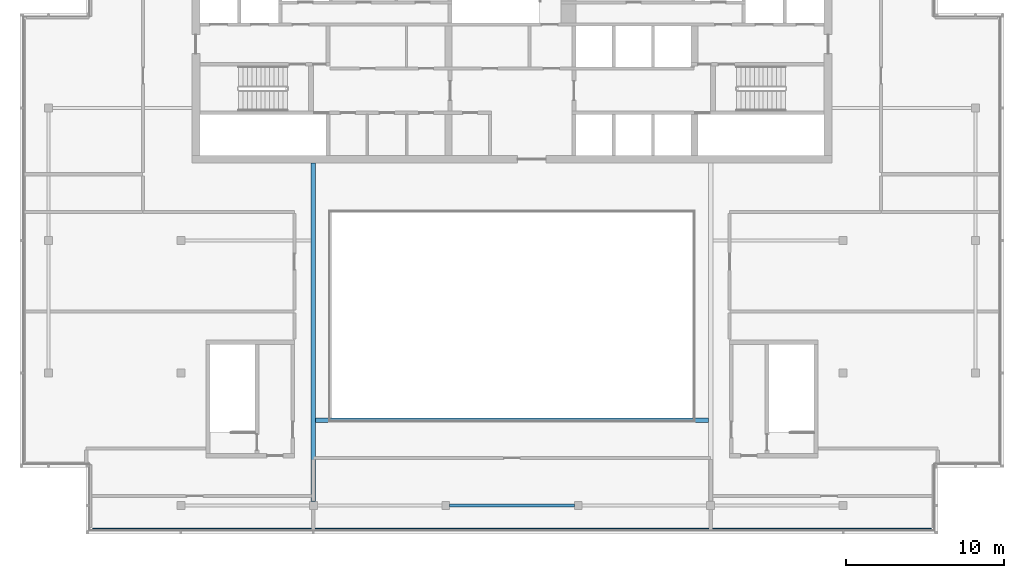
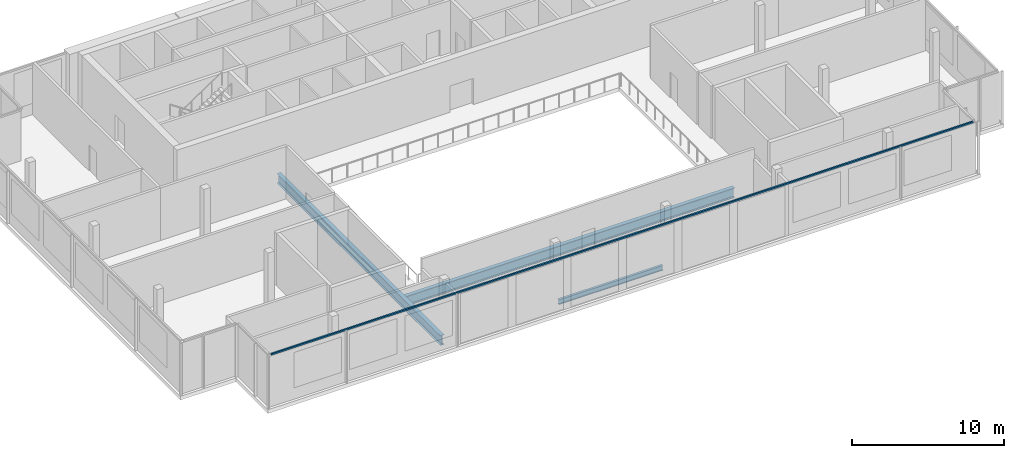
# One storey, part 3 of 14: 3 beams, 1 member, 1 element without a shape of its own.
"""IFC4 building model written with IfcOpenShell, lengths in metres."""

from ifc_helpers import new_model, si_unit, direction, frame, origin, origin_2d, place, context, subcontext, project, spatial, rectangle, i_section, extrude, material, material_profile, profile_set, type_object, element, aggregate, save


model = new_model("IFC4")

# Units and contexts
model_context = context("Model", 3, precision=1e-05, world=origin(), true_north=direction((0.0, 1.0)))
body_context = subcontext(model_context, "Body", "Model", "MODEL_VIEW")
ifc_project = project(units=[si_unit("LENGTHUNIT", "METRE"), si_unit("AREAUNIT", "SQUARE_METRE"), si_unit("VOLUMEUNIT", "CUBIC_METRE"), si_unit("PLANEANGLEUNIT", "RADIAN"), si_unit("MASSUNIT", "GRAM", prefix="KILO")], contexts=[model_context])

# Site, building, storey
site_placement = place(None, origin())
site = spatial("IfcSite", under=ifc_project, at=site_placement, CompositionType="ELEMENT")
building_placement = place(site_placement, origin())
building = spatial("IfcBuilding", under=site, at=building_placement, Name="Saffron Gate Tower", CompositionType="ELEMENT")
storey_placement = place(building_placement, frame((0.0, 0.0, 310.35009765625)))
storey = spatial("IfcBuildingStorey", under=building, at=storey_placement, Name="L76", CompositionType="ELEMENT", Elevation=310.35009765625)

# Beams
ifc_material_1 = material(Name="Structural steel S355", Category="steel")
ifc_material_profile_1 = material_profile(ifc_material_1, i_section(OverallWidth=0.300048828125, OverallDepth=0.7900390625, WebThickness=0.014892578125, FlangeThickness=0.028076171875, FilletRadius=0.030029296875, at=origin_2d()))
ifc_profile_set_1 = profile_set([ifc_material_profile_1], Name="Structural steel S355")
beam_type_1 = type_object("IfcBeamType", Name="B18 HEA 800", PredefinedType="BEAM", material=ifc_profile_set_1)
beam_1_placement = place(storey_placement, frame((75.0, 40.449951171875, -0.695068359375), z_axis=(0.0, 1.0, 0.0), x_axis=(-1.0, 0.0, 0.0)))
element("IfcBeam", 1, at=beam_1_placement, inside=storey, type_object=beam_type_1, Name="B18 ATRIUM GIRDER", PredefinedType="BEAM", context=body_context, shape_type="SweptSolid", body=[
    extrude(i_section(OverallWidth=0.300048828125, OverallDepth=0.7900390625, WebThickness=0.014892578125, FlangeThickness=0.028076171875, FilletRadius=0.030029296875, at=origin_2d()), origin(), (0.0, 0.0, 1.0), 21.449951171875),
])
beam_2_placement = place(storey_placement, frame((75.14990234375, 45.60009765625, -0.695068359375), z_axis=(1.0, 0.0, 0.0), x_axis=(0.0, 1.0, 0.0)))
element("IfcBeam", 2, at=beam_2_placement, inside=storey, type_object=beam_type_1, Name="B18 ATRIUM GIRDER", PredefinedType="BEAM", context=body_context, shape_type="SweptSolid", body=[
    extrude(i_section(OverallWidth=0.300048828125, OverallDepth=0.7900390625, WebThickness=0.014892578125, FlangeThickness=0.028076171875, FilletRadius=0.030029296875, at=origin_2d()), origin(), (0.0, 0.0, 1.0), 24.900146484375),
])
ifc_material_profile_2 = material_profile(ifc_material_1, i_section(OverallWidth=0.179931640625, OverallDepth=0.39990234375, WebThickness=0.008544921875, FlangeThickness=0.013427734375, FilletRadius=0.02099609375, at=origin_2d()))
ifc_profile_set_2 = profile_set([ifc_material_profile_2], Name="Structural steel S355")
beam_type_2 = type_object("IfcBeamType", Name="B5 IPE 400", PredefinedType="SPANDREL", material=ifc_profile_set_2)
beam_3_placement = place(storey_placement, frame((83.64990234375, 40.199951171875, -0.5), z_axis=(1.0, 0.0, 0.0), x_axis=(0.0, 1.0, 0.0)))
element("IfcBeam", 3, at=beam_3_placement, inside=storey, type_object=beam_type_2, Name="B5 SPANDREL BEAM", PredefinedType="SPANDREL", context=body_context, shape_type="SweptSolid", body=[
    extrude(i_section(OverallWidth=0.179931640625, OverallDepth=0.39990234375, WebThickness=0.008544921875, FlangeThickness=0.013427734375, FilletRadius=0.02099609375, at=origin_2d()), origin(), (0.0, 0.0, 1.0), 7.900146484375),
])

# Curtain wall, member
ifc_material_2 = material(Name="Aluminium, bronze anodised", Category="aluminium")
curtain_wall_type = type_object("IfcCurtainWallType", Name="CWS6 curtain wall tall storeys", PredefinedType="NOTDEFINED", material=ifc_material_2)
curtain_wall_placement = place(storey_placement, origin())
curtain_wall = element("IfcCurtainWall", 4, at=curtain_wall_placement, inside=storey, type_object=curtain_wall_type, Name="CWS6 run 1", PredefinedType="NOTDEFINED")
ifc_material_profile_3 = material_profile(ifc_material_2, rectangle(XDim=0.1201171875, YDim=0.1201171875, at=origin_2d()))
ifc_profile_set_3 = profile_set([ifc_material_profile_3], Name="Aluminium, bronze anodised")
member_type = type_object("IfcMemberType", Name="CWS6 head transom", PredefinedType="USERDEFINED", material=ifc_profile_set_3)
member_placement = place(storey_placement, frame((61.008056640625, 38.68798828125, 4.139892578125), z_axis=(1.0, 0.0, 0.0), x_axis=(0.0, 1.0, 0.0)))
member = element("IfcMember", 5, at=member_placement, type_object=member_type, Name="CWS6 head transom", ObjectType="TRANSOM", PredefinedType="USERDEFINED", context=body_context, shape_type="SweptSolid", body=[
    extrude(rectangle(XDim=0.1201171875, YDim=0.1201171875, at=origin_2d()), origin(), (0.0, 0.0, 1.0), 53.183837890625),
])
aggregate(curtain_wall, [member])

save(model, "model.ifc")
